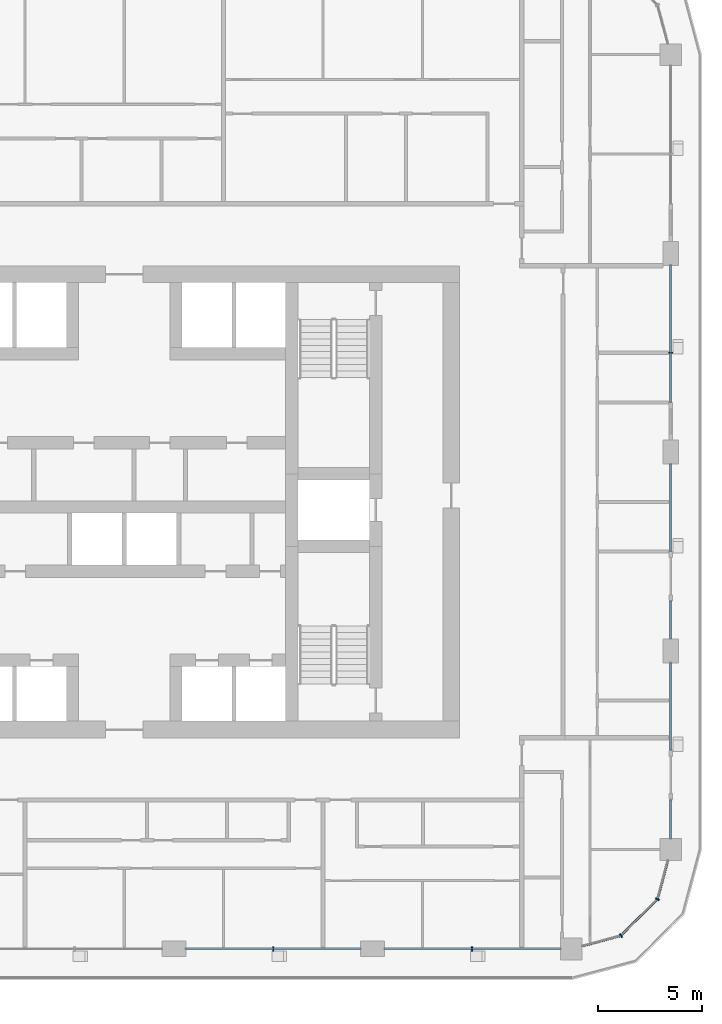
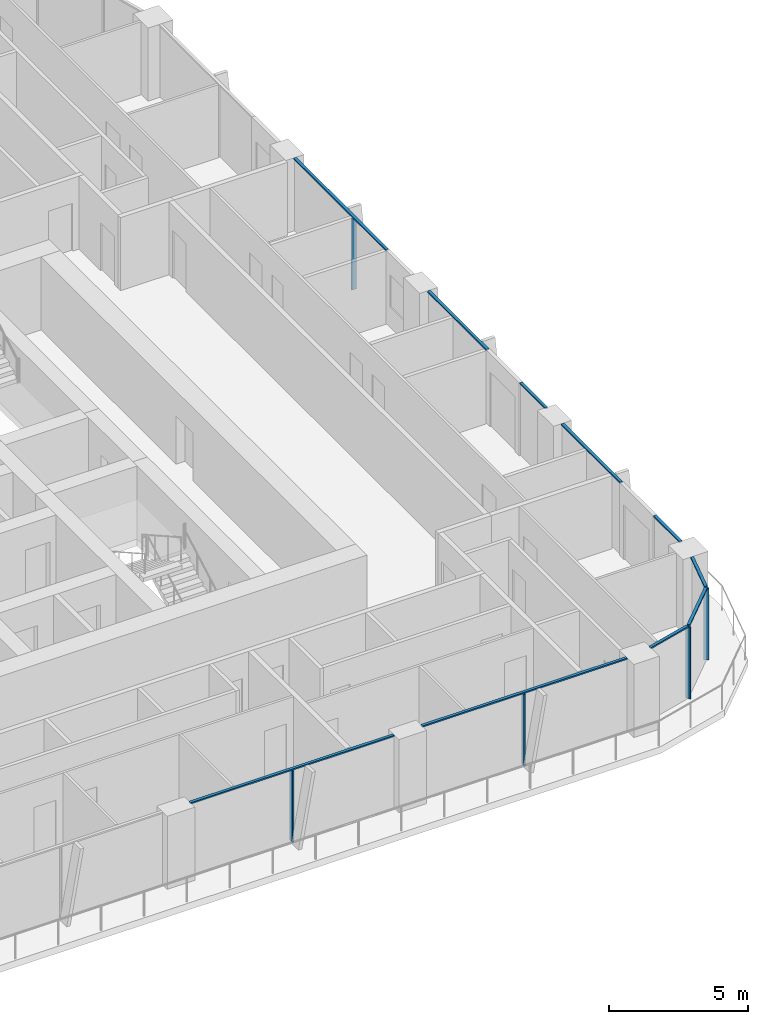
# One storey, part 4 of 22: 15 members, 6 elements without a shape of their own.
"""IFC4 building model written with IfcOpenShell, lengths in metres."""

import ifcopenshell
import ifcopenshell.guid

model = None  # the IFC model being written
_history = None  # IfcOwnerHistory: only IFC2X3 demands one
_inside = {}  # id of a spatial element -> (the spatial element, [elements in it])
_under = {}  # id of a project, library or spatial element -> (it, [spatial elements below it])
_declared = {}  # id of a project -> (the project, [libraries it declares])
_typed = {}  # id of a type object -> (the type object, [elements of that type])
_made_of = {}  # id of a material, layer set ... -> (it, [elements and type objects made of it])


def new_model(schema):
    """Start an empty IFC model of exactly this schema.

    Asked for "IFC4X3", IfcOpenShell would pick the latest addendum, in which some entities
    have other attributes; the version numbers below select the first issue.
    IFC2X3 requires an IfcOwnerHistory on every rooted entity: one is made here for all.
    """
    global model, _history
    if schema == "IFC4X3":
        model = ifcopenshell.file(schema_version=(4, 3, 0, 0))
    else:
        model = ifcopenshell.file(schema=schema)
    _inside.clear()
    _under.clear()
    _declared.clear()
    _typed.clear()
    _made_of.clear()
    _history = None
    if model.schema == "IFC2X3":
        org = make("IfcOrganization", Name="unknown")
        user = make(
            "IfcPersonAndOrganization",
            ThePerson=make("IfcPerson", FamilyName="unknown"),
            TheOrganization=org,
        )
        app = make(
            "IfcApplication",
            ApplicationDeveloper=org,
            Version="unknown",
            ApplicationFullName="unknown",
            ApplicationIdentifier="unknown",
        )
        _history = make(
            "IfcOwnerHistory",
            OwningUser=user,
            OwningApplication=app,
            ChangeAction="ADDED",
            CreationDate=0,
        )
    return model


def make(cls, **values):
    """One entity of the class cls with the attributes given. An attribute that is None is left unset."""
    return model.create_entity(
        cls, **{name: value for name, value in values.items() if value is not None}
    )


def rooted(cls, **values):
    """An entity with a GlobalId (a new one), such as an element, a storey or a relation."""
    return make(cls, GlobalId=ifcopenshell.guid.new(), OwnerHistory=_history, **values)


def si_unit(unit_type, name, prefix=None):
    """IfcSIUnit, for example si_unit("LENGTHUNIT", "METRE", prefix="MILLI")."""
    return make("IfcSIUnit", UnitType=unit_type, Prefix=prefix, Name=name)


def assignment(units):
    """IfcUnitAssignment: the units of a project."""
    return None if units is None else make("IfcUnitAssignment", Units=units)


def point(xyz):
    """IfcCartesianPoint."""
    return None if xyz is None else make("IfcCartesianPoint", Coordinates=xyz)


def direction(xyz):
    """IfcDirection."""
    return None if xyz is None else make("IfcDirection", DirectionRatios=xyz)


def frame(location, z_axis=None, x_axis=None):
    """IfcAxis2Placement3D, a coordinate frame: its origin and axes. An axis left out is left unset."""
    return make(
        "IfcAxis2Placement3D",
        Location=point(location),
        Axis=direction(z_axis),
        RefDirection=direction(x_axis),
    )


def frame_2d(location, x_axis=None):
    """IfcAxis2Placement2D, a coordinate frame in the plane: its origin and x axis."""
    return make(
        "IfcAxis2Placement2D", Location=point(location), RefDirection=direction(x_axis)
    )


def origin():
    """The frame at (0, 0, 0) with its axes left unset."""
    return frame((0.0, 0.0, 0.0))


def origin_2d():
    """The frame at (0, 0) in the plane with its x axis left unset."""
    return frame_2d((0.0, 0.0))


def place(relative_to, where):
    """IfcLocalPlacement: puts the frame where relative to a parent placement (None: the world)."""
    return make(
        "IfcLocalPlacement", PlacementRelTo=relative_to, RelativePlacement=where
    )


def context(
    kind, dimensions, precision=None, world=None, true_north=None, identifier=None
):
    """IfcGeometricRepresentationContext, for example the 3D "Model" context."""
    return make(
        "IfcGeometricRepresentationContext",
        ContextIdentifier=identifier,
        ContextType=kind,
        CoordinateSpaceDimension=dimensions,
        Precision=precision,
        WorldCoordinateSystem=world,
        TrueNorth=true_north,
    )


def subcontext(parent, identifier, kind, view, scale=None):
    """IfcGeometricRepresentationSubContext, for example "Body" below "Model"."""
    return make(
        "IfcGeometricRepresentationSubContext",
        ContextIdentifier=identifier,
        ContextType=kind,
        ParentContext=parent,
        TargetScale=scale,
        TargetView=view,
    )


def project(units=None, contexts=None):
    """IfcProject with its units and contexts."""
    return rooted(
        "IfcProject",
        Name="project",
        RepresentationContexts=contexts,
        UnitsInContext=assignment(units),
    )


def spatial(cls, under=None, at=None, **own):
    """A site, building, storey or space (cls), placed at a placement, below another one or the project."""
    s = rooted(cls, ObjectPlacement=at, **own)
    if under is not None:
        _under.setdefault(under.id(), (under, []))[1].append(s)
    return s


def profile(cls, at=None, kind="AREA", **sizes):
    """A parametric profile (cls). Its sizes go by their IFC names, for example OverallWidth=200.0."""
    return make(cls, ProfileType=kind, Position=at, **sizes)


def rectangle(**sizes):
    """IfcRectangleProfileDef."""
    return profile("IfcRectangleProfileDef", **sizes)


def extrude(swept, where, along, depth):
    """IfcExtrudedAreaSolid: the profile swept, set in the frame where, extruded along a direction by depth."""
    return make(
        "IfcExtrudedAreaSolid",
        SweptArea=swept,
        Position=where,
        ExtrudedDirection=direction(along),
        Depth=depth,
    )


def shape(context_of_items, identifier, shape_type, items):
    """IfcShapeRepresentation: the items that make up one representation, for example the "Body"."""
    return make(
        "IfcShapeRepresentation",
        ContextOfItems=context_of_items,
        RepresentationIdentifier=identifier,
        RepresentationType=shape_type,
        Items=items,
    )


def material(Name=None, Category=None):
    """IfcMaterial."""
    return make("IfcMaterial", Name=Name, Category=Category)


def layer(
    of_material, thickness, ventilated=None, Name=None, Category=None, Priority=None
):
    """IfcMaterialLayer: one layer of a wall or slab, of a material (None: an air gap)."""
    return make(
        "IfcMaterialLayer",
        Material=of_material,
        LayerThickness=thickness,
        IsVentilated=ventilated,
        Name=Name,
        Category=Category,
        Priority=Priority,
    )


def layer_set(layers, Name=None):
    """IfcMaterialLayerSet."""
    return make("IfcMaterialLayerSet", MaterialLayers=layers, LayerSetName=Name)


def material_profile(
    of_material, cross_section, Name=None, Category=None, Priority=None
):
    """IfcMaterialProfile: a cross section and its material."""
    return make(
        "IfcMaterialProfile",
        Name=Name,
        Material=of_material,
        Profile=cross_section,
        Priority=Priority,
        Category=Category,
    )


def profile_set(profiles, Name=None, composite=None):
    """IfcMaterialProfileSet."""
    return make(
        "IfcMaterialProfileSet",
        Name=Name,
        MaterialProfiles=profiles,
        CompositeProfile=composite,
    )


def made_of(thing, what):
    """Note that an element or type object is made of a material, layer set ...; save() writes the relation."""
    if what is not None:
        _made_of.setdefault(what.id(), (what, []))[1].append(thing)
    return thing


def type_object(cls, material=None, **own):
    """A type object (cls), such as IfcWallType, which elements share."""
    return made_of(rooted(cls, **own), material)


def element(
    cls,
    number,
    at=None,
    inside=None,
    cuts=None,
    type_object=None,
    material=None,
    context=None,
    identifier="Body",
    shape_type=None,
    held_by="IfcProductDefinitionShape",
    body=None,
    shapes=None,
    **own,
):
    """One element of the class cls, such as IfcWall. Its Tag is "e" and its number.

    at: its placement. inside: the storey or other place that contains it. cuts: it is an
    opening in that element (IfcRelVoidsElement). A single representation is given by context,
    identifier, shape_type and body (its items); several are given by shapes. held_by: the class
    of the entity that holds the representations. save() writes the other relations.
    """
    e = rooted(cls, Tag="e%d" % number, ObjectPlacement=at, **own)
    if body is not None:
        shapes = [shape(context, identifier, shape_type, body)]
    if shapes is not None:
        e.Representation = make(held_by, Representations=shapes)
    if inside is not None:
        _inside.setdefault(inside.id(), (inside, []))[1].append(e)
    if cuts is not None:
        rooted(
            "IfcRelVoidsElement", RelatingBuildingElement=cuts, RelatedOpeningElement=e
        )
    if type_object is not None:
        _typed.setdefault(type_object.id(), (type_object, []))[1].append(e)
    return made_of(e, material)


def aggregate(whole, parts):
    """IfcRelAggregates: a whole, such as a stair, and the parts it consists of."""
    return rooted("IfcRelAggregates", RelatingObject=whole, RelatedObjects=parts)


def save(model, path):
    """Write the relations noted so far, then the file.

    IfcRelAggregates (storeys below a building ...), IfcRelContainedInSpatialStructure (elements
    in a storey), IfcRelDefinesByType, IfcRelAssociatesMaterial and IfcRelDeclares: one each for
    every whole, place, type object, material and project.
    """
    for whole, parts in _under.values():
        aggregate(whole, parts)
    for where, things in _inside.values():
        rooted(
            "IfcRelContainedInSpatialStructure",
            RelatedElements=things,
            RelatingStructure=where,
        )
    for kind, things in _typed.values():
        rooted("IfcRelDefinesByType", RelatedObjects=things, RelatingType=kind)
    for what, things in _made_of.values():
        rooted("IfcRelAssociatesMaterial", RelatedObjects=things, RelatingMaterial=what)
    for by, libraries in _declared.values():
        rooted("IfcRelDeclares", RelatingContext=by, RelatedDefinitions=libraries)
    model.write(path)


model = new_model("IFC4")

# Units and contexts
model_context = context("Model", 3, precision=1e-05, world=origin(), true_north=direction((0.0, 1.0)))
body_context = subcontext(model_context, "Body", "Model", "MODEL_VIEW")
ifc_project = project(units=[si_unit("LENGTHUNIT", "METRE"), si_unit("AREAUNIT", "SQUARE_METRE"), si_unit("VOLUMEUNIT", "CUBIC_METRE"), si_unit("PLANEANGLEUNIT", "RADIAN"), si_unit("MASSUNIT", "GRAM", prefix="KILO")], contexts=[model_context])

# Site, building, storey
site_placement = place(None, origin())
site = spatial("IfcSite", under=ifc_project, at=site_placement, CompositionType="ELEMENT")
building_placement = place(site_placement, origin())
building = spatial("IfcBuilding", under=site, at=building_placement, Name="Madar Terraces", CompositionType="ELEMENT")
storey_placement = place(building_placement, frame((0.0, 0.0, 136.60009765625)))
storey = spatial("IfcBuildingStorey", under=building, at=storey_placement, Name="L35", CompositionType="ELEMENT", Elevation=136.60009765625)

# Curtain wall, member
ifc_material_1 = material(Name="Glass, ceramic frit dark grey, with black aluminium frame", Category="aluminium")
ifc_layer = layer(ifc_material_1, 0.199951171875)
ifc_layer_set = layer_set([ifc_layer], Name="Facade curtain wall, fritted glass")
curtain_wall_type = type_object("IfcCurtainWallType", Name="Facade curtain wall, fritted glass", PredefinedType="NOTDEFINED", material=ifc_layer_set)
curtain_wall_1_placement = place(storey_placement, origin())
curtain_wall_1 = element("IfcCurtainWall", 1, at=curtain_wall_1_placement, inside=storey, type_object=curtain_wall_type, Name="Outer skin curtain wall south bay 4", PredefinedType="NOTDEFINED")
ifc_material_2 = material(Name="Aluminium, black anodised", Category="aluminium")
ifc_material_profile_1 = material_profile(ifc_material_2, rectangle(XDim=0.199951171875, YDim=0.06005859375, at=origin_2d()), Name="Facade mullion 60x200")
ifc_profile_set_1 = profile_set([ifc_material_profile_1], Name="Aluminium, black anodised")
member_type_1 = type_object("IfcMemberType", Name="Facade mullion 60x200", PredefinedType="MULLION", material=ifc_profile_set_1)
member_1_placement = place(storey_placement, frame((38.39990234375, 4.800048828125, 0.0), z_axis=(0.0, 0.0, 1.0), x_axis=(0.0, 1.0, 0.0)))
member_1 = element("IfcMember", 2, at=member_1_placement, type_object=member_type_1, Name="Mullion 1", PredefinedType="MULLION", context=body_context, shape_type="SweptSolid", body=[
    extrude(rectangle(XDim=0.199951171875, YDim=0.06005859375, at=origin_2d()), origin(), (0.0, 0.0, 1.0), 3.139892578125),
])

curtain_wall_2_placement = place(storey_placement, origin())
curtain_wall_2 = element("IfcCurtainWall", 3, at=curtain_wall_2_placement, inside=storey, type_object=curtain_wall_type, Name="Outer skin curtain wall south bay 5", PredefinedType="NOTDEFINED")
member_2_placement = place(storey_placement, frame((48.0, 4.800048828125, 0.0), z_axis=(0.0, 0.0, 1.0), x_axis=(0.0, 1.0, 0.0)))
member_2 = element("IfcMember", 4, at=member_2_placement, type_object=member_type_1, Name="Mullion 1", PredefinedType="MULLION", context=body_context, shape_type="SweptSolid", body=[
    extrude(rectangle(XDim=0.199951171875, YDim=0.06005859375, at=origin_2d()), origin(), (0.0, 0.0, 1.0), 3.139892578125),
])

curtain_wall_3_placement = place(storey_placement, origin())
curtain_wall_3 = element("IfcCurtainWall", 5, at=curtain_wall_3_placement, inside=storey, type_object=curtain_wall_type, Name="Outer skin curtain wall east bay 3", PredefinedType="NOTDEFINED")
member_3_placement = place(storey_placement, frame((57.60009765625, 33.60009765625, 0.0), z_axis=(0.0, 0.0, 1.0), x_axis=(-1.0, 0.0, 0.0)))
member_3 = element("IfcMember", 6, at=member_3_placement, type_object=member_type_1, Name="Mullion 1", PredefinedType="MULLION", context=body_context, shape_type="SweptSolid", body=[
    extrude(rectangle(XDim=0.199951171875, YDim=0.06005859375, at=origin_2d()), origin(), (0.0, 0.0, 1.0), 3.139892578125),
])

# Curtain wall, members
curtain_wall_4_placement = place(storey_placement, origin())
curtain_wall_4 = element("IfcCurtainWall", 7, at=curtain_wall_4_placement, inside=storey, type_object=curtain_wall_type, Name="Outer skin curtain wall south-east corner", PredefinedType="NOTDEFINED")
member_4_placement = place(storey_placement, frame((55.199951171875, 5.443115234375, 0.0), z_axis=(0.0, 0.0, 1.0), x_axis=(-0.499999989586, 0.866025409797, 0.0)))
member_4 = element("IfcMember", 8, at=member_4_placement, type_object=member_type_1, Name="Mullion 1", PredefinedType="MULLION", context=body_context, shape_type="SweptSolid", body=[
    extrude(rectangle(XDim=0.199951171875, YDim=0.06005859375, at=origin_2d()), origin(), (0.0, 0.0, 1.0), 3.139892578125),
])
member_5_placement = place(storey_placement, frame((56.95703125, 7.199951171875, 0.0), z_axis=(0.0, 0.0, 1.0), x_axis=(-0.866025409797, 0.499999989586, 0.0)))
member_5 = element("IfcMember", 9, at=member_5_placement, type_object=member_type_1, Name="Mullion 2", PredefinedType="MULLION", context=body_context, shape_type="SweptSolid", body=[
    extrude(rectangle(XDim=0.199951171875, YDim=0.06005859375, at=origin_2d()), origin(), (0.0, 0.0, 1.0), 3.139892578125),
])

# Member
ifc_material_3 = material(Name="Aluminium, black anodised", Category="aluminium")
ifc_material_profile_2 = material_profile(ifc_material_3, rectangle(XDim=0.1201171875, YDim=0.06005859375, at=origin_2d()), Name="Facade transom 60x120")
ifc_profile_set_2 = profile_set([ifc_material_profile_2], Name="Aluminium, black anodised")
member_type_2 = type_object("IfcMemberType", Name="Facade transom 60x120", PredefinedType="USERDEFINED", material=ifc_profile_set_2)
member_6_placement = place(storey_placement, frame((34.175048828125, 4.800048828125, 3.169921875), z_axis=(1.0, 0.0, 0.0), x_axis=(0.0, 1.0, 0.0)))
member_6 = element("IfcMember", 10, at=member_6_placement, type_object=member_type_2, Name="Transom 1", ObjectType="TRANSOM", PredefinedType="USERDEFINED", context=body_context, shape_type="SweptSolid", body=[
    extrude(rectangle(XDim=0.1201171875, YDim=0.06005859375, at=origin_2d()), origin(), (0.0, 0.0, 1.0), 8.449951171875),
])

aggregate(curtain_wall_1, [member_1, member_6])

member_7_placement = place(storey_placement, frame((43.77490234375, 4.800048828125, 3.169921875), z_axis=(1.0, 0.0, 0.0), x_axis=(0.0, 1.0, 0.0)))
member_7 = element("IfcMember", 11, at=member_7_placement, type_object=member_type_2, Name="Transom 1", ObjectType="TRANSOM", PredefinedType="USERDEFINED", context=body_context, shape_type="SweptSolid", body=[
    extrude(rectangle(XDim=0.1201171875, YDim=0.06005859375, at=origin_2d()), origin(), (0.0, 0.0, 1.0), 8.5),
])

aggregate(curtain_wall_2, [member_2, member_7])

# Curtain wall, members
curtain_wall_5_placement = place(storey_placement, origin())
curtain_wall_5 = element("IfcCurtainWall", 12, at=curtain_wall_5_placement, inside=storey, type_object=curtain_wall_type, Name="Outer skin curtain wall east bay 1", PredefinedType="NOTDEFINED")
member_8_placement = place(storey_placement, frame((57.60009765625, 10.125, 3.169921875), z_axis=(0.0, 1.0, 0.0), x_axis=(-1.0, 0.0, 0.0)))
member_8 = element("IfcMember", 13, at=member_8_placement, type_object=member_type_2, Name="Transom 1", ObjectType="TRANSOM", PredefinedType="USERDEFINED", context=body_context, shape_type="SweptSolid", body=[
    extrude(rectangle(XDim=0.1201171875, YDim=0.06005859375, at=origin_2d()), origin(), (0.0, 0.0, 1.0), 1.875),
])
member_9_placement = place(storey_placement, frame((57.60009765625, 14.39990234375, 3.169921875), z_axis=(0.0, 1.0, 0.0), x_axis=(-1.0, 0.0, 0.0)))
member_9 = element("IfcMember", 14, at=member_9_placement, type_object=member_type_2, Name="Transom 2", ObjectType="TRANSOM", PredefinedType="USERDEFINED", context=body_context, shape_type="SweptSolid", body=[
    extrude(rectangle(XDim=0.1201171875, YDim=0.06005859375, at=origin_2d()), origin(), (0.0, 0.0, 1.0), 4.22509765625),
])
aggregate(curtain_wall_5, [member_8, member_9])

curtain_wall_6_placement = place(storey_placement, origin())
curtain_wall_6 = element("IfcCurtainWall", 15, at=curtain_wall_6_placement, inside=storey, type_object=curtain_wall_type, Name="Outer skin curtain wall east bay 2", PredefinedType="NOTDEFINED")
member_10_placement = place(storey_placement, frame((57.60009765625, 19.77490234375, 3.169921875), z_axis=(0.0, 1.0, 0.0), x_axis=(-1.0, 0.0, 0.0)))
member_10 = element("IfcMember", 16, at=member_10_placement, type_object=member_type_2, Name="Transom 1", ObjectType="TRANSOM", PredefinedType="USERDEFINED", context=body_context, shape_type="SweptSolid", body=[
    extrude(rectangle(XDim=0.1201171875, YDim=0.06005859375, at=origin_2d()), origin(), (0.0, 0.0, 1.0), 1.8251953125),
])
member_11_placement = place(storey_placement, frame((57.60009765625, 24.0, 3.169921875), z_axis=(0.0, 1.0, 0.0), x_axis=(-1.0, 0.0, 0.0)))
member_11 = element("IfcMember", 17, at=member_11_placement, type_object=member_type_2, Name="Transom 2", ObjectType="TRANSOM", PredefinedType="USERDEFINED", context=body_context, shape_type="SweptSolid", body=[
    extrude(rectangle(XDim=0.1201171875, YDim=0.06005859375, at=origin_2d()), origin(), (0.0, 0.0, 1.0), 4.22509765625),
])
aggregate(curtain_wall_6, [member_10, member_11])

# Member
member_12_placement = place(storey_placement, frame((57.60009765625, 31.199951171875, 3.169921875), z_axis=(0.0, 1.0, 0.0), x_axis=(-1.0, 0.0, 0.0)))
member_12 = element("IfcMember", 18, at=member_12_placement, type_object=member_type_2, Name="Transom 1", ObjectType="TRANSOM", PredefinedType="USERDEFINED", context=body_context, shape_type="SweptSolid", body=[
    extrude(rectangle(XDim=0.1201171875, YDim=0.06005859375, at=origin_2d()), origin(), (0.0, 0.0, 1.0), 6.625),
])

aggregate(curtain_wall_3, [member_3, member_12])

member_13_placement = place(storey_placement, frame((53.324951171875, 4.940673828125, 3.169921875), z_axis=(0.965933227928, 0.25879142023, 0.0), x_axis=(-0.25879142023, 0.965933227928, 0.0)))
member_13 = element("IfcMember", 19, at=member_13_placement, type_object=member_type_2, Name="Transom 1", ObjectType="TRANSOM", PredefinedType="USERDEFINED", context=body_context, shape_type="SweptSolid", body=[
    extrude(rectangle(XDim=0.1201171875, YDim=0.06005859375, at=origin_2d()), origin(), (0.0, 0.0, 1.0), 1.911376953125),
])

member_14_placement = place(storey_placement, frame((55.22119140625, 5.46435546875, 3.169921875), z_axis=(0.707157125196, 0.707056433593, 0.0), x_axis=(-0.707056433593, 0.707157125196, 0.0)))
member_14 = element("IfcMember", 20, at=member_14_placement, type_object=member_type_2, Name="Transom 2", ObjectType="TRANSOM", PredefinedType="USERDEFINED", context=body_context, shape_type="SweptSolid", body=[
    extrude(rectangle(XDim=0.1201171875, YDim=0.06005859375, at=origin_2d()), origin(), (0.0, 0.0, 1.0), 2.424560546875),
])

member_15_placement = place(storey_placement, frame((56.964599609375, 7.22900390625, 3.169921875), z_axis=(0.258823354654, 0.965924671538, 0.0), x_axis=(-0.965924671538, 0.258823354654, 0.0)))
member_15 = element("IfcMember", 21, at=member_15_placement, type_object=member_type_2, Name="Transom 3", ObjectType="TRANSOM", PredefinedType="USERDEFINED", context=body_context, shape_type="SweptSolid", body=[
    extrude(rectangle(XDim=0.1201171875, YDim=0.06005859375, at=origin_2d()), origin(), (0.0, 0.0, 1.0), 1.9111328125),
])

aggregate(curtain_wall_4, [member_4, member_13, member_5, member_14, member_15])

save(model, "model.ifc")
